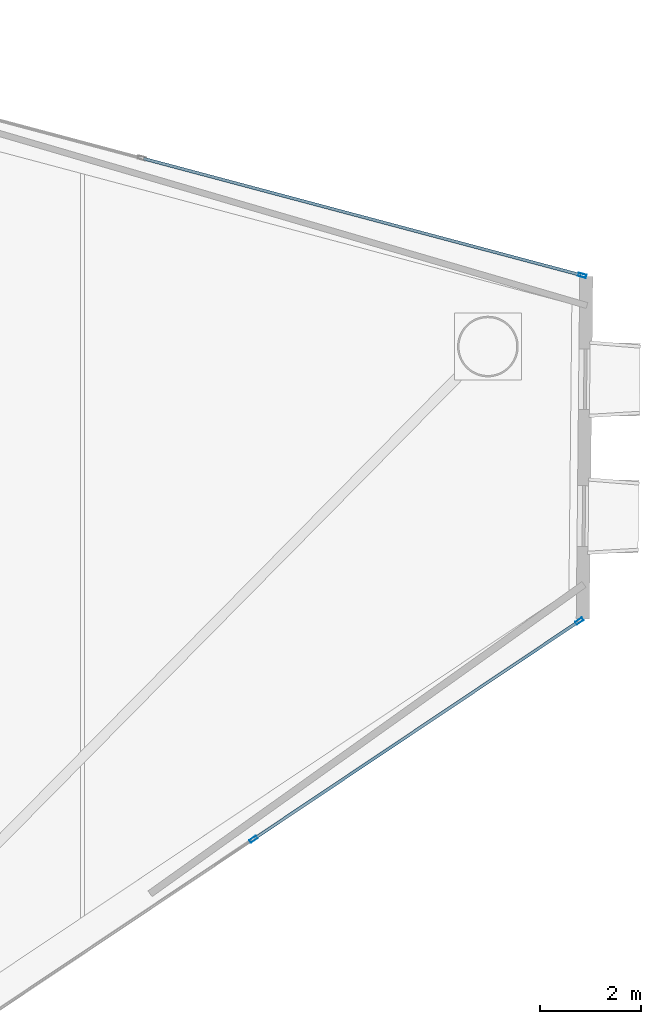
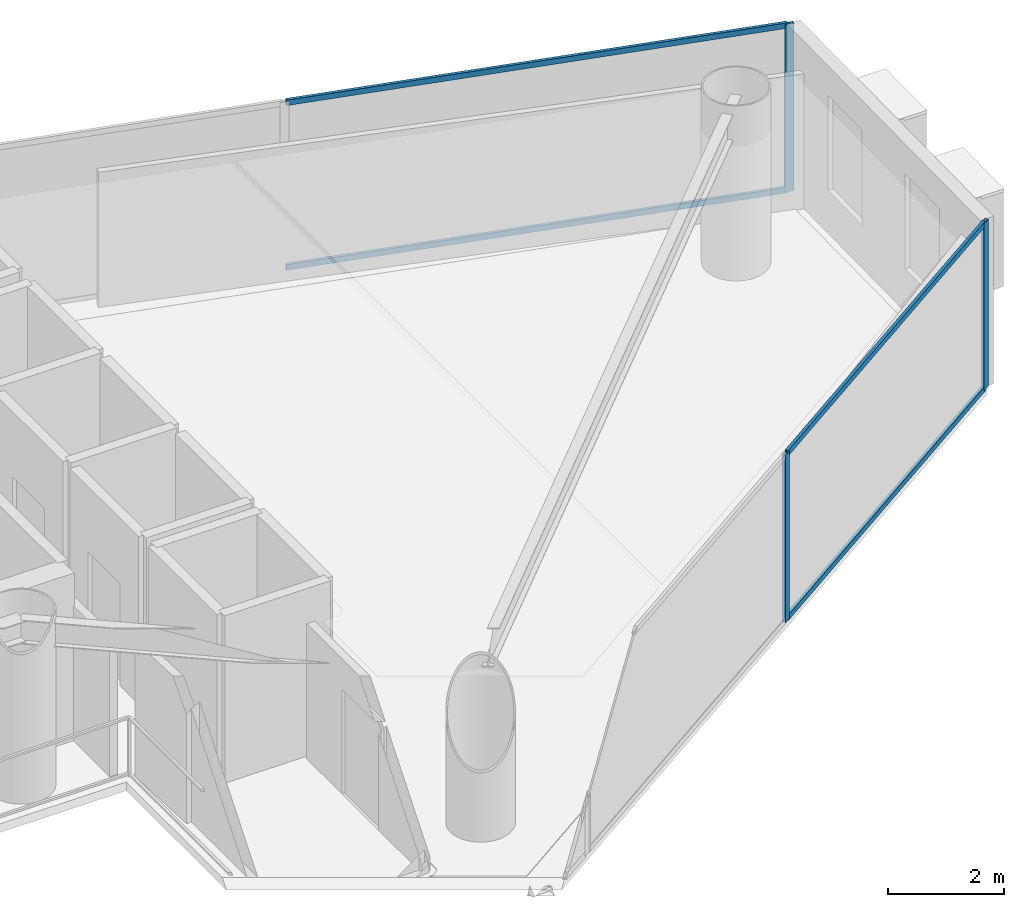
# One storey, part 13 of 21: 7 members, 2 elements without a shape of their own.
"""IFC4 building model written with IfcOpenShell, lengths in metres."""

from ifc_helpers import new_model, si_unit, direction, frame, origin, origin_2d, place, context, subcontext, project, spatial, hollow_rectangle, extrude, material, layer, layer_set, material_profile, profile_set, type_object, element, aggregate, save


model = new_model("IFC4")

# Units and contexts
model_context = context("Model", 3, precision=1e-05, world=origin(), true_north=direction((0.0, 1.0)))
body_context = subcontext(model_context, "Body", "Model", "MODEL_VIEW")
ifc_project = project(units=[si_unit("LENGTHUNIT", "METRE"), si_unit("AREAUNIT", "SQUARE_METRE"), si_unit("VOLUMEUNIT", "CUBIC_METRE"), si_unit("PLANEANGLEUNIT", "RADIAN"), si_unit("MASSUNIT", "GRAM", prefix="KILO")], contexts=[model_context])

# Site, building, storey
site_placement = place(None, origin())
site = spatial("IfcSite", under=ifc_project, at=site_placement, CompositionType="ELEMENT")
building_placement = place(site_placement, origin())
building = spatial("IfcBuilding", under=site, at=building_placement, Name="Qianvela Tower", CompositionType="ELEMENT")
storey_placement = place(building_placement, frame((0.0, 0.0, 189.199951171875)))
storey = spatial("IfcBuildingStorey", under=building, at=storey_placement, Name="L48", CompositionType="ELEMENT", Elevation=189.199951171875)

# Curtain wall, member
ifc_material_1 = material(Name="Anodised Architectural Aluminium and Low-E Glass", Category="aluminium")
ifc_layer = layer(ifc_material_1, 0.159912109375)
ifc_layer_set = layer_set([ifc_layer], Name="Anodised Architectural Aluminium and Low-E Glass")
curtain_wall_type = type_object("IfcCurtainWallType", Name="CW-COLIV-Z56", PredefinedType="USERDEFINED", material=ifc_layer_set)
curtain_wall_1_placement = place(storey_placement, origin())
curtain_wall_1 = element("IfcCurtainWall", 1, at=curtain_wall_1_placement, inside=storey, type_object=curtain_wall_type, Name="L48 CW-COLIV-Z56 Curtain Wall 02A", ObjectType="CURTAIN_WALL_SYSTEM", PredefinedType="USERDEFINED")
ifc_material_2 = material(Name="Anodised Architectural Aluminium 6063-T6", Category="aluminium")
ifc_material_profile_1 = material_profile(ifc_material_2, hollow_rectangle(XDim=0.06494140625, YDim=0.159912109375, WallThickness=0.0048828125, at=origin_2d()), Name="ALU-MULL-65x160")
ifc_profile_set_1 = profile_set([ifc_material_profile_1], Name="Anodised Architectural Aluminium 6063-T6")
member_type_1 = type_object("IfcMemberType", Name="CW-COLIV-Z56-MULL", PredefinedType="MULLION", material=ifc_profile_set_1)
member_1_placement = place(storey_placement, frame((58.76220703125, 32.675537109375, 0.0), z_axis=(0.0, 0.0, 1.0), x_axis=(-0.25735131933, -0.966317907543, 0.0)))
member_1 = element("IfcMember", 2, at=member_1_placement, type_object=member_type_1, Name="CW-5 mullion 1", PredefinedType="MULLION", context=body_context, shape_type="SweptSolid", body=[
    extrude(hollow_rectangle(XDim=0.06494140625, YDim=0.159912109375, WallThickness=0.0048828125, at=origin_2d()), origin(), (0.0, 0.0, 1.0), 3.52001953125),
])

# Curtain wall, members
curtain_wall_2_placement = place(storey_placement, origin())
curtain_wall_2 = element("IfcCurtainWall", 3, at=curtain_wall_2_placement, inside=storey, type_object=curtain_wall_type, Name="L48 CW-COLIV-Z56 Curtain Wall 06C", ObjectType="CURTAIN_WALL_SYSTEM", PredefinedType="USERDEFINED")
member_2_placement = place(storey_placement, frame((52.262939453125, 21.533935546875, 0.0), z_axis=(0.0, 0.0, 1.0), x_axis=(-0.556195065619, 0.831051772744, 0.0)))
member_2 = element("IfcMember", 4, at=member_2_placement, type_object=member_type_1, Name="CW-5 mullion 2", PredefinedType="MULLION", context=body_context, shape_type="SweptSolid", body=[
    extrude(hollow_rectangle(XDim=0.06494140625, YDim=0.159912109375, WallThickness=0.0048828125, at=origin_2d()), origin(), (0.0, 0.0, 1.0), 3.52001953125),
])
member_3_placement = place(storey_placement, frame((58.704345703125, 25.844970703125, 0.0), z_axis=(0.0, 0.0, 1.0), x_axis=(-0.556195065619, 0.831051772744, 0.0)))
member_3 = element("IfcMember", 5, at=member_3_placement, type_object=member_type_1, Name="CW-5 mullion 3", PredefinedType="MULLION", context=body_context, shape_type="SweptSolid", body=[
    extrude(hollow_rectangle(XDim=0.06494140625, YDim=0.159912109375, WallThickness=0.0048828125, at=origin_2d()), origin(), (0.0, 0.0, 1.0), 3.52001953125),
])

# Member
ifc_material_3 = material(Name="Anodised Architectural Aluminium 6063-T6", Category="aluminium")
ifc_material_profile_2 = material_profile(ifc_material_3, hollow_rectangle(XDim=0.06005859375, YDim=0.114990234375, WallThickness=0.00390625, at=origin_2d()), Name="ALU-TRAN-60x115")
ifc_profile_set_2 = profile_set([ifc_material_profile_2], Name="Anodised Architectural Aluminium 6063-T6")
member_type_2 = type_object("IfcMemberType", Name="CW-COLIV-Z56-TRAN", PredefinedType="USERDEFINED", material=ifc_profile_set_2)
member_4_placement = place(storey_placement, frame((58.730712890625, 32.683837890625, 0.030029296875), z_axis=(-0.966317842443, 0.257351563771, 0.0), x_axis=(-0.257351563771, -0.966317842443, 0.0)))
member_4 = element("IfcMember", 6, at=member_4_placement, type_object=member_type_2, Name="CW-5 transom 1.1", ObjectType="TRANSOM", PredefinedType="USERDEFINED", context=body_context, shape_type="SweptSolid", body=[
    extrude(hollow_rectangle(XDim=0.06005859375, YDim=0.114990234375, WallThickness=0.00390625, at=origin_2d()), origin(), (0.0, 0.0, 1.0), 8.939208984375),
])

member_5_placement = place(storey_placement, frame((58.730712890625, 32.683837890625, 3.489990234375), z_axis=(-0.966317842443, 0.257351563771, 0.0), x_axis=(-0.257351563771, -0.966317842443, 0.0)))
member_5 = element("IfcMember", 7, at=member_5_placement, type_object=member_type_2, Name="CW-5 transom 1.2", ObjectType="TRANSOM", PredefinedType="USERDEFINED", context=body_context, shape_type="SweptSolid", body=[
    extrude(hollow_rectangle(XDim=0.06005859375, YDim=0.114990234375, WallThickness=0.00390625, at=origin_2d()), origin(), (0.0, 0.0, 1.0), 8.939208984375),
])

aggregate(curtain_wall_1, [member_1, member_4, member_5])

member_6_placement = place(storey_placement, frame((52.289794921875, 21.552001953125, 0.030029296875), z_axis=(0.831061863072, 0.556179988625, 0.0), x_axis=(-0.556179988625, 0.831061863072, 0.0)))
member_6 = element("IfcMember", 8, at=member_6_placement, type_object=member_type_2, Name="CW-5 transom 2.1", ObjectType="TRANSOM", PredefinedType="USERDEFINED", context=body_context, shape_type="SweptSolid", body=[
    extrude(hollow_rectangle(XDim=0.06005859375, YDim=0.114990234375, WallThickness=0.00390625, at=origin_2d()), origin(), (0.0, 0.0, 1.0), 7.686279296875),
])

member_7_placement = place(storey_placement, frame((52.289794921875, 21.552001953125, 3.489990234375), z_axis=(0.831061863072, 0.556179988625, 0.0), x_axis=(-0.556179988625, 0.831061863072, 0.0)))
member_7 = element("IfcMember", 9, at=member_7_placement, type_object=member_type_2, Name="CW-5 transom 2.2", ObjectType="TRANSOM", PredefinedType="USERDEFINED", context=body_context, shape_type="SweptSolid", body=[
    extrude(hollow_rectangle(XDim=0.06005859375, YDim=0.114990234375, WallThickness=0.00390625, at=origin_2d()), origin(), (0.0, 0.0, 1.0), 7.686279296875),
])

aggregate(curtain_wall_2, [member_2, member_3, member_6, member_7])

save(model, "model.ifc")
